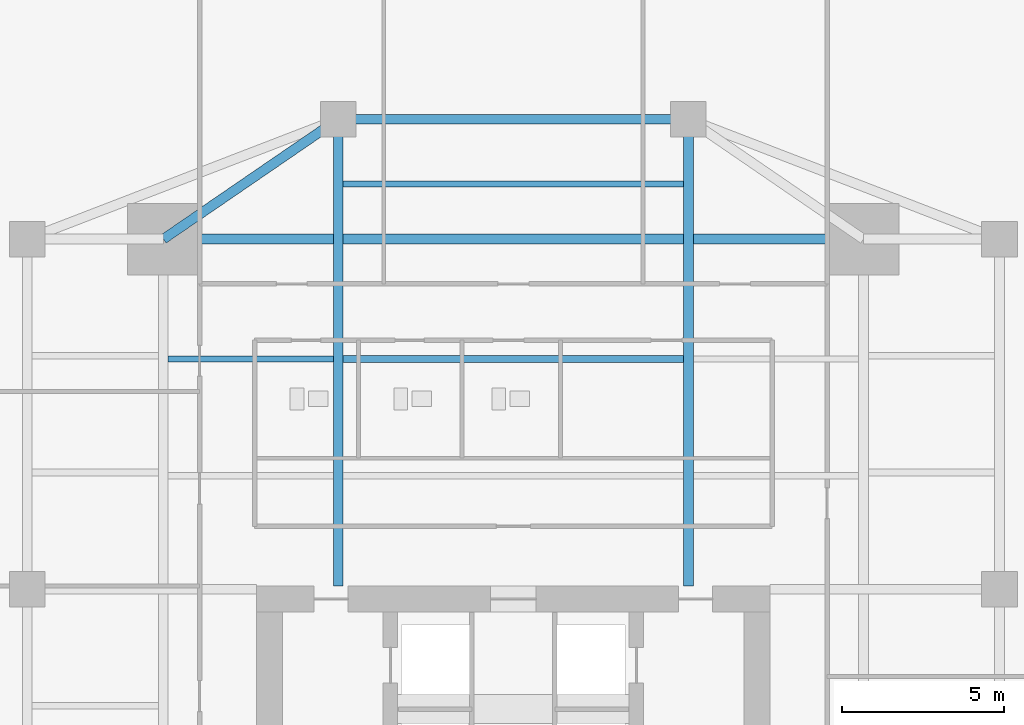
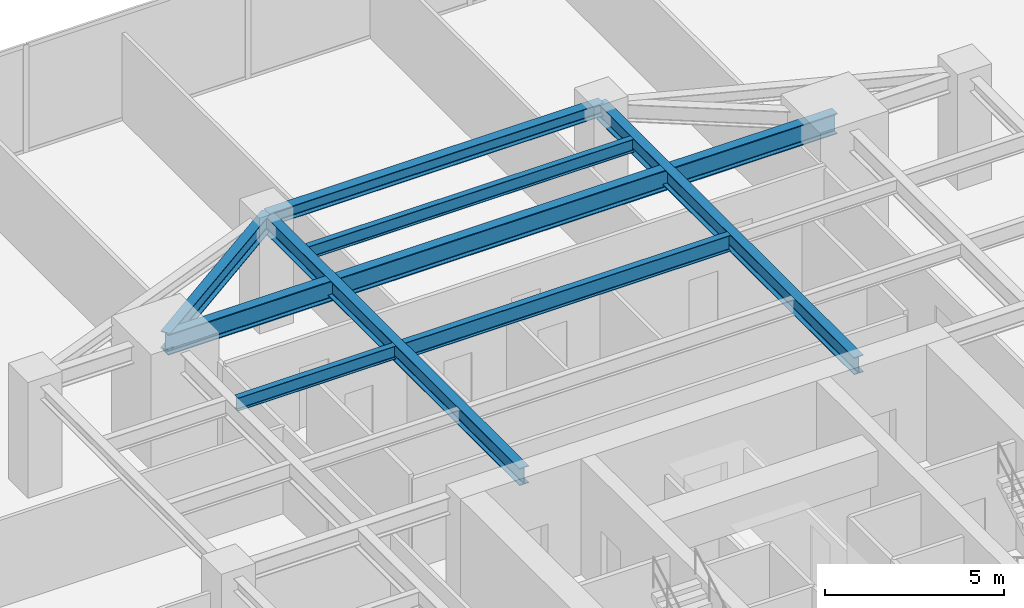
# One storey, part 18 of 28: 8 beams.
"""IFC4 building model written with IfcOpenShell, lengths in metres."""

from ifc_helpers import new_model, si_unit, direction, frame, origin, origin_2d, place, context, subcontext, project, spatial, i_section, extrude, source, transform, mapped, material, material_profile, profile_set, type_object, type_shapes, element, save


model = new_model("IFC4")

# Units and contexts
model_context = context("Model", 3, precision=1e-05, world=origin(), true_north=direction((0.0, 1.0)))
body_context = subcontext(model_context, "Body", "Model", "MODEL_VIEW")
ifc_project = project(units=[si_unit("LENGTHUNIT", "METRE"), si_unit("AREAUNIT", "SQUARE_METRE"), si_unit("VOLUMEUNIT", "CUBIC_METRE"), si_unit("PLANEANGLEUNIT", "RADIAN"), si_unit("MASSUNIT", "GRAM", prefix="KILO")], contexts=[model_context])

# Site, building, storey
site_placement = place(None, origin())
site = spatial("IfcSite", under=ifc_project, at=site_placement, CompositionType="ELEMENT")
building_placement = place(site_placement, origin())
building = spatial("IfcBuilding", under=site, at=building_placement, Name="Krantzveldt Concourse Tower", CompositionType="ELEMENT")
storey_placement = place(building_placement, frame((0.0, 0.0, 32.89990234375)))
storey = spatial("IfcBuildingStorey", under=building, at=storey_placement, Name="L07", CompositionType="ELEMENT", Elevation=32.89990234375)

# Beams
ifc_material_1 = material(Name="Steel S355J2", Category="steel")
ifc_material_profile_1 = material_profile(ifc_material_1, i_section(OverallWidth=0.300048828125, OverallDepth=0.699951171875, WebThickness=0.01708984375, FlangeThickness=0.031982421875, FilletRadius=0.027099609375, at=origin_2d()), Name="Steel S355J2", Category="steel")
ifc_profile_set_1 = profile_set([ifc_material_profile_1], Name="Steel S355J2 - HEB 700")
beam_type_1 = type_object("IfcBeamType", Name="BM-B-HEB700", PredefinedType="BEAM", material=ifc_profile_set_1)
shared_shape_1 = source(origin(), body_context, "Body", "SweptSolid", [
    extrude(i_section(OverallWidth=0.300048828125, OverallDepth=0.699951171875, WebThickness=0.01708984375, FlangeThickness=0.031982421875, FilletRadius=0.027099609375, at=origin_2d()), origin(), (0.0, 0.0, 1.0), 21.60009765625),
])
type_shapes(beam_type_1, [shared_shape_1])
beam_1_placement = place(storey_placement, frame((25.199951171875, 37.5, 3.320068359375), z_axis=(1.0, 0.0, 0.0), x_axis=(0.0, 1.0, 0.0)))
element("IfcBeam", 1, at=beam_1_placement, inside=storey, type_object=beam_type_1, Name="L07 Tower Girder BG-MN", PredefinedType="BEAM", context=body_context, shape_type="MappedRepresentation", body=[
    mapped(shared_shape_1, transform((0.0, 0.0, 0.0), x_axis=(1.0, 0.0, 0.0), y_axis=(0.0, 1.0, 0.0), z_axis=(0.0, 0.0, 1.0), scale=1.0)),
])
ifc_material_2 = material(Name="Steel S355JR", Category="steel")
ifc_material_profile_2 = material_profile(ifc_material_2, i_section(OverallWidth=0.300048828125, OverallDepth=0.590087890625, WebThickness=0.012939453125, FlangeThickness=0.02490234375, FilletRadius=0.027099609375, at=origin_2d()), Name="Steel S355JR", Category="steel")
ifc_profile_set_2 = profile_set([ifc_material_profile_2], Name="Steel S355JR - HEA 600")
beam_type_2 = type_object("IfcBeamType", Name="BM-B-HEA600", PredefinedType="BEAM", material=ifc_profile_set_2)
shared_shape_2 = source(origin(), body_context, "Body", "SweptSolid", [
    extrude(i_section(OverallWidth=0.300048828125, OverallDepth=0.590087890625, WebThickness=0.012939453125, FlangeThickness=0.02490234375, FilletRadius=0.027099609375, at=origin_2d()), origin(), (0.0, 0.0, 1.0), 14.39990234375),
])
for number, where, z_axis, x_axis, name in (
    (2, (30.60009765625, 26.800048828125, 3.375), (0.0, 1.0, 0.0), (-1.0, 0.0, 0.0), "L07 Tower Girder BG-CNW"),
    (3, (41.39990234375, 26.800048828125, 3.375), (0.0, 1.0, 0.0), (-1.0, 0.0, 0.0), "L07 Tower Girder BG-CNE"),
):
    element("IfcBeam", number, at=place(storey_placement, frame(where, z_axis=z_axis, x_axis=x_axis)), inside=storey, type_object=beam_type_2, Name=name, PredefinedType="BEAM", context=body_context, shape_type="MappedRepresentation", body=[
        mapped(shared_shape_2, transform((0.0, 0.0, 0.0), x_axis=(1.0, 0.0, 0.0), y_axis=(0.0, 1.0, 0.0), z_axis=(0.0, 0.0, 1.0), scale=1.0)),
    ])
ifc_material_profile_3 = material_profile(ifc_material_2, i_section(OverallWidth=0.300048828125, OverallDepth=0.43994140625, WebThickness=0.011474609375, FlangeThickness=0.02099609375, FilletRadius=0.027099609375, at=origin_2d()), Name="Steel S355JR", Category="steel")
ifc_profile_set_3 = profile_set([ifc_material_profile_3], Name="Steel S355JR - HEA 450")
beam_type_3 = type_object("IfcBeamType", Name="BM-SP-HEA450", PredefinedType="SPANDREL", material=ifc_profile_set_3)
shared_shape_3 = source(origin(), body_context, "Body", "SweptSolid", [
    extrude(i_section(OverallWidth=0.300048828125, OverallDepth=0.43994140625, WebThickness=0.011474609375, FlangeThickness=0.02099609375, FilletRadius=0.027099609375, at=origin_2d()), origin(), (0.0, 0.0, 1.0), 10.7998046875),
])
type_shapes(beam_type_3, [shared_shape_3])
beam_2_placement = place(storey_placement, frame((30.60009765625, 41.199951171875, 3.4501953125), z_axis=(1.0, 0.0, 0.0), x_axis=(0.0, 1.0, 0.0)))
element("IfcBeam", 4, at=beam_2_placement, inside=storey, type_object=beam_type_3, Name="L07 Tower Girder SP-R04", PredefinedType="SPANDREL", context=body_context, shape_type="MappedRepresentation", body=[
    mapped(shared_shape_3, transform((0.0, 0.0, 0.0), x_axis=(1.0, 0.0, 0.0), y_axis=(0.0, 1.0, 0.0), z_axis=(0.0, 0.0, 1.0), scale=1.0)),
])
shared_shape_4 = source(origin(), body_context, "Body", "SweptSolid", [
    extrude(i_section(OverallWidth=0.300048828125, OverallDepth=0.590087890625, WebThickness=0.012939453125, FlangeThickness=0.02490234375, FilletRadius=0.027099609375, at=origin_2d()), origin(), (0.0, 0.0, 1.0), 6.546142578125),
])
type_shapes(beam_type_2, [shared_shape_2, shared_shape_4])
beam_3_placement = place(storey_placement, frame((25.199951171875, 37.5, 3.375), z_axis=(0.824942999484, 0.565215930068, 0.0), x_axis=(-0.565215930068, 0.824942999484, 0.0)))
element("IfcBeam", 5, at=beam_3_placement, inside=storey, type_object=beam_type_2, Name="L07 Tower Girder BR-RL4", PredefinedType="BEAM", context=body_context, shape_type="MappedRepresentation", body=[
    mapped(shared_shape_4, transform((0.0, 0.0, 0.0), x_axis=(1.0, 0.0, 0.0), y_axis=(0.0, 1.0, 0.0), z_axis=(0.0, 0.0, 1.0), scale=1.0)),
])
ifc_material_profile_4 = material_profile(ifc_material_2, i_section(OverallWidth=0.2099609375, OverallDepth=0.550048828125, WebThickness=0.010986328125, FlangeThickness=0.01708984375, FilletRadius=0.02392578125, at=origin_2d()), Name="Steel S355JR", Category="steel")
ifc_profile_set_4 = profile_set([ifc_material_profile_4], Name="Steel S355JR - IPE 550")
beam_type_4 = type_object("IfcBeamType", Name="BM-J-IPE550", PredefinedType="JOIST", material=ifc_profile_set_4)
shared_shape_5 = source(origin(), body_context, "Body", "SweptSolid", [
    extrude(i_section(OverallWidth=0.2099609375, OverallDepth=0.550048828125, WebThickness=0.010986328125, FlangeThickness=0.01708984375, FilletRadius=0.02392578125, at=origin_2d()), origin(), (0.0, 0.0, 1.0), 10.5),
])
type_shapes(beam_type_4, [shared_shape_5])
beam_4_placement = place(storey_placement, frame((30.75, 33.800048828125, 3.39501953125), z_axis=(1.0, 0.0, 0.0), x_axis=(0.0, 1.0, 0.0)))
element("IfcBeam", 6, at=beam_4_placement, inside=storey, type_object=beam_type_4, Name="L07 Secondary Floor Joist JN-C2", PredefinedType="JOIST", context=body_context, shape_type="MappedRepresentation", body=[
    mapped(shared_shape_5, transform((0.0, 0.0, 0.0), x_axis=(1.0, 0.0, 0.0), y_axis=(0.0, 1.0, 0.0), z_axis=(0.0, 0.0, 1.0), scale=1.0)),
])
ifc_material_profile_5 = material_profile(ifc_material_2, i_section(OverallWidth=0.18994140625, OverallDepth=0.449951171875, WebThickness=0.009521484375, FlangeThickness=0.0146484375, FilletRadius=0.02099609375, at=origin_2d()), Name="Steel S355JR", Category="steel")
ifc_profile_set_5 = profile_set([ifc_material_profile_5], Name="Steel S355JR - IPE 450")
beam_type_5 = type_object("IfcBeamType", Name="BM-J-IPE450", PredefinedType="JOIST", material=ifc_profile_set_5)
shared_shape_6 = source(origin(), body_context, "Body", "SweptSolid", [
    extrude(i_section(OverallWidth=0.18994140625, OverallDepth=0.449951171875, WebThickness=0.009521484375, FlangeThickness=0.0146484375, FilletRadius=0.02099609375, at=origin_2d()), origin(), (0.0, 0.0, 1.0), 10.5),
])
beam_5_placement = place(storey_placement, frame((30.75, 39.199951171875, 3.445068359375), z_axis=(1.0, 0.0, 0.0), x_axis=(0.0, 1.0, 0.0)))
element("IfcBeam", 7, at=beam_5_placement, inside=storey, type_object=beam_type_5, Name="L07 Secondary Floor Joist JN-C3", PredefinedType="JOIST", context=body_context, shape_type="MappedRepresentation", body=[
    mapped(shared_shape_6, transform((0.0, 0.0, 0.0), x_axis=(1.0, 0.0, 0.0), y_axis=(0.0, 1.0, 0.0), z_axis=(0.0, 0.0, 1.0), scale=1.0)),
])
shared_shape_7 = source(origin(), body_context, "Body", "SweptSolid", [
    extrude(i_section(OverallWidth=0.18994140625, OverallDepth=0.449951171875, WebThickness=0.009521484375, FlangeThickness=0.0146484375, FilletRadius=0.02099609375, at=origin_2d()), origin(), (0.0, 0.0, 1.0), 5.099853515625),
])
type_shapes(beam_type_5, [shared_shape_6, shared_shape_7])
beam_6_placement = place(storey_placement, frame((25.35009765625, 33.800048828125, 3.445068359375), z_axis=(1.0, 0.0, 0.0), x_axis=(0.0, 1.0, 0.0)))
element("IfcBeam", 8, at=beam_6_placement, inside=storey, type_object=beam_type_5, Name="L07 Secondary Floor Joist JN-W2", PredefinedType="JOIST", context=body_context, shape_type="MappedRepresentation", body=[
    mapped(shared_shape_7, transform((0.0, 0.0, 0.0), x_axis=(1.0, 0.0, 0.0), y_axis=(0.0, 1.0, 0.0), z_axis=(0.0, 0.0, 1.0), scale=1.0)),
])

save(model, "model.ifc")
